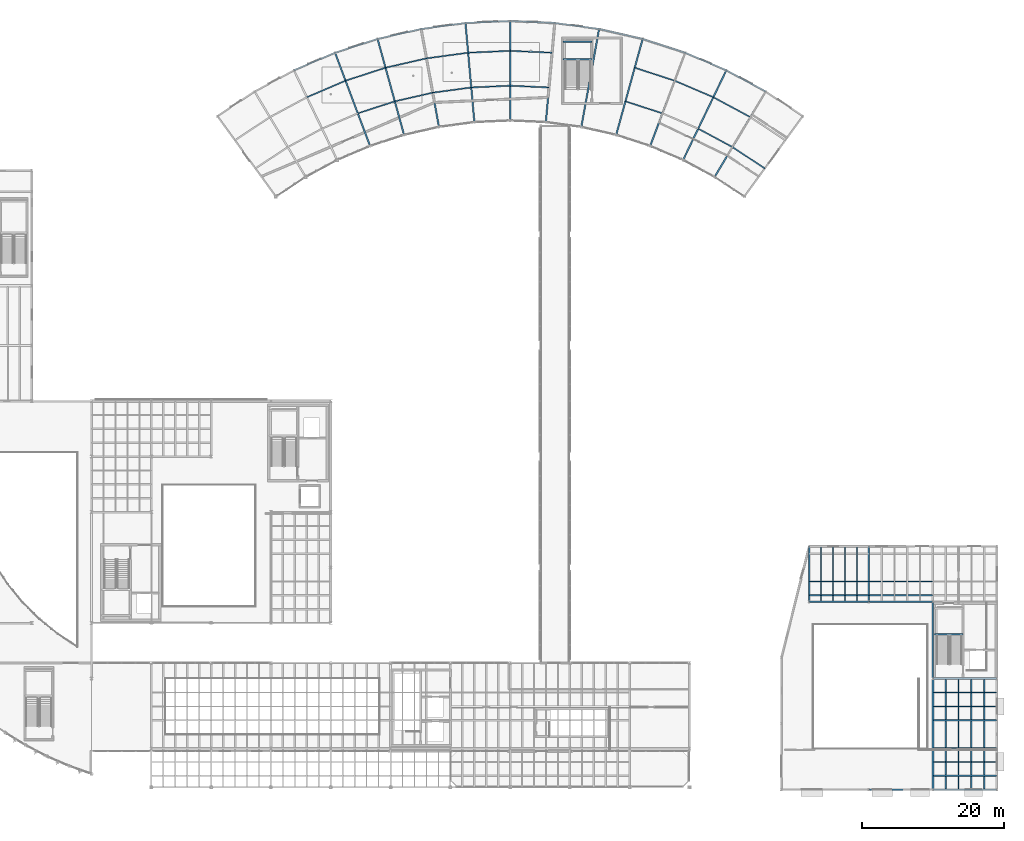
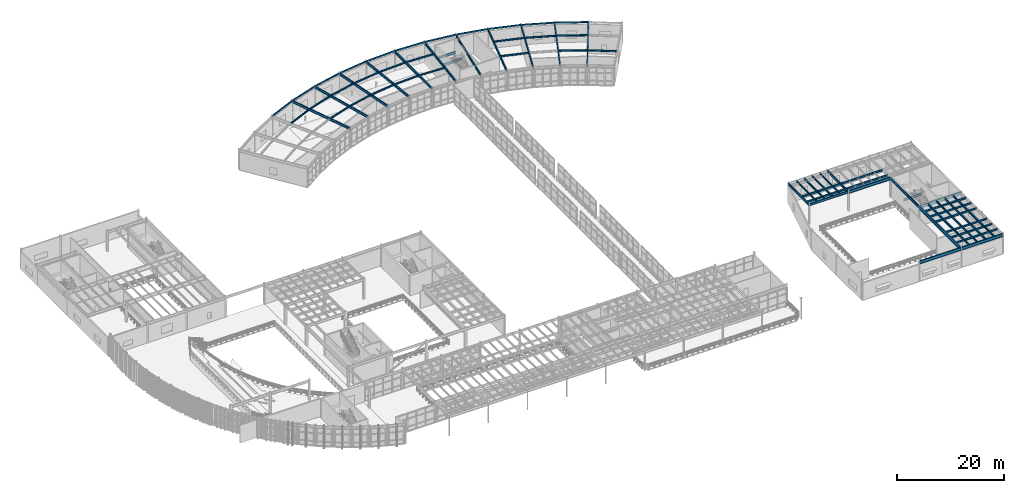
# One storey, part 70 of 105: 69 beams.
"""IFC4 building model written with IfcOpenShell, lengths in metres."""

from ifc_helpers import new_model, si_unit, direction, frame, origin, origin_2d, place, context, subcontext, project, spatial, hollow_rectangle, i_section, extrude, material, material_profile, profile_set, type_object, element, save


model = new_model("IFC4")

# Units and contexts
model_context = context("Model", 3, precision=1e-05, world=origin(), true_north=direction((0.0, 1.0)))
body_context = subcontext(model_context, "Body", "Model", "MODEL_VIEW")
ifc_project = project(units=[si_unit("LENGTHUNIT", "METRE"), si_unit("AREAUNIT", "SQUARE_METRE"), si_unit("VOLUMEUNIT", "CUBIC_METRE"), si_unit("PLANEANGLEUNIT", "RADIAN"), si_unit("MASSUNIT", "GRAM", prefix="KILO")], contexts=[model_context])

# Site, building, storey
site_placement = place(None, origin())
site = spatial("IfcSite", under=ifc_project, at=site_placement, CompositionType="ELEMENT")
building_placement = place(site_placement, origin())
building = spatial("IfcBuilding", under=site, at=building_placement, Name="Selat Folded Stagehouse", CompositionType="ELEMENT")
storey_placement = place(building_placement, frame((0.0, 0.0, 10.199951171875)))
storey = spatial("IfcBuildingStorey", under=building, at=storey_placement, Name="L02", CompositionType="ELEMENT", Elevation=10.199951171875)

# Beams
ifc_material = material(Name="Steel S355", Category="steel")
ifc_material_profile_1 = material_profile(ifc_material, i_section(OverallWidth=0.210693359375, OverallDepth=0.53955078125, WebThickness=0.01171875, FlangeThickness=0.018798828125, FilletRadius=0.0126953125, at=origin_2d()), Name="UKB 533x210x109")
ifc_profile_set_1 = profile_set([ifc_material_profile_1], Name="Steel S355")
beam_type_1 = type_object("IfcBeamType", Name="BM-GIRD-533x210x109", PredefinedType="BEAM", material=ifc_profile_set_1)
for number, where, z_axis, x_axis, name in (
    (1, (134.39990234375, 26.466796875, 4.310302734375), (0.0, 1.0, 0.0), (-1.0, 0.0, 0.0), "L02 primary y-girder 1071"),
    (2, (142.800048828125, 26.466796875, 4.310302734375), (0.0, 1.0, 0.0), (-1.0, 0.0, 0.0), "L02 primary y-girder 1072"),
):
    element("IfcBeam", number, at=place(storey_placement, frame(where, z_axis=z_axis, x_axis=x_axis)), inside=storey, type_object=beam_type_1, Name=name, PredefinedType="BEAM", context=body_context, shape_type="SweptSolid", body=[
        extrude(i_section(OverallWidth=0.210693359375, OverallDepth=0.53955078125, WebThickness=0.01171875, FlangeThickness=0.018798828125, FilletRadius=0.0126953125, at=origin_2d()), origin(), (0.0, 0.0, 1.0), 7.66650390625),
    ])
ifc_material_profile_2 = material_profile(ifc_material, i_section(OverallWidth=0.209228515625, OverallDepth=0.533203125, WebThickness=0.010009765625, FlangeThickness=0.015625, FilletRadius=0.0126953125, at=origin_2d()), Name="UKB 533x210x92")
ifc_profile_set_2 = profile_set([ifc_material_profile_2], Name="Steel S355")
beam_type_2 = type_object("IfcBeamType", Name="BM-GIRD-533x210x92", PredefinedType="BEAM", material=ifc_profile_set_2)
beam_1_placement = place(storey_placement, frame((134.466796875, 26.39990234375, 4.3134765625), z_axis=(1.0, 0.0, 0.0), x_axis=(0.0, 1.0, 0.0)))
element("IfcBeam", 3, at=beam_1_placement, inside=storey, type_object=beam_type_2, Name="L02 primary x-girder 1014", PredefinedType="BEAM", context=body_context, shape_type="SweptSolid", body=[
    extrude(i_section(OverallWidth=0.209228515625, OverallDepth=0.533203125, WebThickness=0.010009765625, FlangeThickness=0.015625, FilletRadius=0.0126953125, at=origin_2d()), origin(), (0.0, 0.0, 1.0), 8.2666015625),
])
beam_2_placement = place(storey_placement, frame((72.722900390625, 90.42919921875, 4.33349609375), z_axis=(-0.35137378289, 0.936235261405, 0.0), x_axis=(-0.936235261405, -0.35137378289, 0.0)))
element("IfcBeam", 4, at=beam_2_placement, inside=storey, type_object=beam_type_2, Name="L02 curved rehearsal radial girder 4", PredefinedType="BEAM", context=body_context, shape_type="SweptSolid", body=[
    extrude(i_section(OverallWidth=0.209228515625, OverallDepth=0.533203125, WebThickness=0.010009765625, FlangeThickness=0.015625, FilletRadius=0.0126953125, at=origin_2d()), origin(), (0.0, 0.0, 1.0), 13.999755859375),
])
for number, where, z_axis, x_axis, name in (
    (5, (77.501953125, 91.98193359375, 4.33349609375), (-0.266045228685, 0.963960547063, 0.0), (-0.963960547063, -0.266045228685, 0.0), "L02 curved rehearsal radial girder 5"),
    (6, (82.40087890625, 93.10009765625, 4.33349609375), (-0.178572369459, 0.983926780236, 0.0), (-0.983926780236, -0.178572369459, 0.0), "L02 curved rehearsal radial girder 6"),
    (7, (87.380126953125, 93.774658203125, 4.33349609375), (-0.089634758742, 0.995974703507, 0.0), (-0.995974703507, -0.089634758742, 0.0), "L02 curved rehearsal radial girder 7"),
    (8, (92.39990234375, 94.0, 4.33349609375), (0.0, 1.0, 0.0), (-1.0, 0.0, 0.0), "L02 curved rehearsal radial girder 8"),
    (9, (97.419921875, 93.774658203125, 4.33349609375), (0.089634758742, 0.995974703507, 0.0), (-0.995974703507, 0.089634758742, 0.0), "L02 curved rehearsal radial girder 9"),
    (10, (102.399169921875, 93.10009765625, 4.33349609375), (0.178555486759, 0.983929844119, 0.0), (-0.983929844119, 0.178555486759, 0.0), "L02 curved rehearsal radial girder 10"),
    (11, (107.298095703125, 91.98193359375, 4.33349609375), (0.266045228685, 0.963960547063, 0.0), (-0.963960547063, 0.266045228685, 0.0), "L02 curved rehearsal radial girder 11"),
):
    element("IfcBeam", number, at=place(storey_placement, frame(where, z_axis=z_axis, x_axis=x_axis)), inside=storey, type_object=beam_type_2, Name=name, PredefinedType="BEAM", context=body_context, shape_type="SweptSolid", body=[
        extrude(i_section(OverallWidth=0.209228515625, OverallDepth=0.533203125, WebThickness=0.010009765625, FlangeThickness=0.015625, FilletRadius=0.0126953125, at=origin_2d()), origin(), (0.0, 0.0, 1.0), 14.0),
    ])
beam_3_placement = place(storey_placement, frame((112.076904296875, 90.42919921875, 4.33349609375), z_axis=(0.35137378289, 0.936235261405, 0.0), x_axis=(-0.936235261405, 0.35137378289, 0.0)))
element("IfcBeam", 12, at=beam_3_placement, inside=storey, type_object=beam_type_2, Name="L02 curved rehearsal radial girder 12", PredefinedType="BEAM", context=body_context, shape_type="SweptSolid", body=[
    extrude(i_section(OverallWidth=0.209228515625, OverallDepth=0.533203125, WebThickness=0.010009765625, FlangeThickness=0.015625, FilletRadius=0.0126953125, at=origin_2d()), origin(), (0.0, 0.0, 1.0), 13.999755859375),
])
for number, where, z_axis, x_axis, name in (
    (13, (116.697509765625, 88.454345703125, 4.33349609375), (0.433890071226, 0.900965818492, 0.0), (-0.900965818492, 0.433890071226, 0.0), "L02 curved rehearsal radial girder 13"),
    (14, (121.122314453125, 86.072998046875, 4.33349609375), (0.512902319154, 0.858446976234, 0.0), (-0.858446976234, 0.512902319154, 0.0), "L02 curved rehearsal radial girder 14"),
):
    element("IfcBeam", number, at=place(storey_placement, frame(where, z_axis=z_axis, x_axis=x_axis)), inside=storey, type_object=beam_type_2, Name=name, PredefinedType="BEAM", context=body_context, shape_type="SweptSolid", body=[
        extrude(i_section(OverallWidth=0.209228515625, OverallDepth=0.533203125, WebThickness=0.010009765625, FlangeThickness=0.015625, FilletRadius=0.0126953125, at=origin_2d()), origin(), (0.0, 0.0, 1.0), 14.0),
    ])
beam_4_placement = place(storey_placement, frame((152.0, 21.8701171875, 1.933349609375), z_axis=(1.0, 0.0, 0.0), x_axis=(0.0, 1.0, 0.0)))
element("IfcBeam", 15, at=beam_4_placement, inside=storey, type_object=beam_type_2, Name="L02 ST-04 landing support beam 1", PredefinedType="BEAM", context=body_context, shape_type="SweptSolid", body=[
    extrude(i_section(OverallWidth=0.209228515625, OverallDepth=0.533203125, WebThickness=0.010009765625, FlangeThickness=0.015625, FilletRadius=0.0126953125, at=origin_2d()), origin(), (0.0, 0.0, 1.0), 4.02001953125),
])
for number, where, z_axis, x_axis, name in (
    (16, (99.800048828125, 102.639892578125, 1.933349609375), (1.0, 0.0, 0.0), (0.0, 1.0, 0.0), "L02 ST-06 landing support beam 1"),
    (17, (99.800048828125, 105.080078125, 1.933349609375), (1.0, 0.0, 0.0), (0.0, 1.0, 0.0), "L02 ST-06 landing support beam 2"),
):
    element("IfcBeam", number, at=place(storey_placement, frame(where, z_axis=z_axis, x_axis=x_axis)), inside=storey, type_object=beam_type_2, Name=name, PredefinedType="BEAM", context=body_context, shape_type="SweptSolid", body=[
        extrude(i_section(OverallWidth=0.209228515625, OverallDepth=0.533203125, WebThickness=0.010009765625, FlangeThickness=0.015625, FilletRadius=0.0126953125, at=origin_2d()), origin(), (0.0, 0.0, 1.0), 4.079833984375),
    ])
ifc_material_profile_3 = material_profile(ifc_material, i_section(OverallWidth=0.230224609375, OverallDepth=0.6171875, WebThickness=0.01318359375, FlangeThickness=0.022216796875, FilletRadius=0.0126953125, at=origin_2d()), Name="UKB 610x229x140")
ifc_profile_set_3 = profile_set([ifc_material_profile_3], Name="Steel S355")
beam_type_3 = type_object("IfcBeamType", Name="BM-GIRD-610x229x140", PredefinedType="BEAM", material=ifc_profile_set_3)
beam_5_placement = place(storey_placement, frame((151.800048828125, 15.666748046875, 4.271484375), z_axis=(0.0, 1.0, 0.0), x_axis=(-1.0, 0.0, 0.0)))
element("IfcBeam", 18, at=beam_5_placement, inside=storey, type_object=beam_type_3, Name="L02 primary y-girder 1074", PredefinedType="BEAM", context=body_context, shape_type="SweptSolid", body=[
    extrude(i_section(OverallWidth=0.230224609375, OverallDepth=0.6171875, WebThickness=0.01318359375, FlangeThickness=0.022216796875, FilletRadius=0.0126953125, at=origin_2d()), origin(), (0.0, 0.0, 1.0), 10.66650390625),
])
ifc_material_profile_4 = material_profile(ifc_material, i_section(OverallWidth=0.253662109375, OverallDepth=0.68359375, WebThickness=0.012451171875, FlangeThickness=0.01904296875, FilletRadius=0.01513671875, at=origin_2d()), Name="UKB 686x254x140")
ifc_profile_set_4 = profile_set([ifc_material_profile_4], Name="Steel S355")
beam_type_4 = type_object("IfcBeamType", Name="BM-GIRD-686x254x140", PredefinedType="BEAM", material=ifc_profile_set_4)
for number, where, z_axis, x_axis, name in (
    (19, (142.86669921875, 0.0, 4.23828125), (1.0, 0.0, 0.0), (0.0, 1.0, 0.0), "L02 primary x-girder 0980"),
    (20, (151.86669921875, 0.0, 4.23828125), (1.0, 0.0, 0.0), (0.0, 1.0, 0.0), "L02 primary x-girder 0981"),
    (21, (151.86669921875, 15.60009765625, 4.23828125), (1.0, 0.0, 0.0), (0.0, 1.0, 0.0), "L02 primary x-girder 0999"),
    (22, (142.86669921875, 26.39990234375, 4.23828125), (1.0, 0.0, 0.0), (0.0, 1.0, 0.0), "L02 primary x-girder 1015"),
):
    element("IfcBeam", number, at=place(storey_placement, frame(where, z_axis=z_axis, x_axis=x_axis)), inside=storey, type_object=beam_type_4, Name=name, PredefinedType="BEAM", context=body_context, shape_type="SweptSolid", body=[
        extrude(i_section(OverallWidth=0.253662109375, OverallDepth=0.68359375, WebThickness=0.012451171875, FlangeThickness=0.01904296875, FilletRadius=0.01513671875, at=origin_2d()), origin(), (0.0, 0.0, 1.0), 8.86669921875),
    ])
ifc_material_profile_5 = material_profile(ifc_material, i_section(OverallWidth=0.26806640625, OverallDepth=0.769775390625, WebThickness=0.015625, FlangeThickness=0.025390625, FilletRadius=0.0166015625, at=origin_2d()), Name="UKB 762x267x197")
ifc_profile_set_5 = profile_set([ifc_material_profile_5], Name="Steel S355")
beam_type_5 = type_object("IfcBeamType", Name="BM-GIRD-762x267x197", PredefinedType="BEAM", material=ifc_profile_set_5)
beam_6_placement = place(storey_placement, frame((151.800048828125, 0.066650390625, 4.195068359375), z_axis=(0.0, 1.0, 0.0), x_axis=(-1.0, 0.0, 0.0)))
element("IfcBeam", 23, at=beam_6_placement, inside=storey, type_object=beam_type_5, Name="L02 primary y-girder 1073", PredefinedType="BEAM", context=body_context, shape_type="SweptSolid", body=[
    extrude(i_section(OverallWidth=0.26806640625, OverallDepth=0.769775390625, WebThickness=0.015625, FlangeThickness=0.025390625, FilletRadius=0.0166015625, at=origin_2d()), origin(), (0.0, 0.0, 1.0), 15.466552734375),
])
ifc_material_profile_6 = material_profile(ifc_material, i_section(OverallWidth=0.17138671875, OverallDepth=0.35498046875, WebThickness=0.00732421875, FlangeThickness=0.011474609375, FilletRadius=0.01025390625, at=origin_2d()), Name="UKB 356x171x51")
ifc_profile_set_6 = profile_set([ifc_material_profile_6], Name="Steel S355")
beam_type_6 = type_object("IfcBeamType", Name="JST-356x171x51", PredefinedType="JOIST", material=ifc_profile_set_6)
for number, where, z_axis, x_axis, name in (
    (24, (136.080078125, 26.473388671875, 4.402587890625), (0.0, 1.0, 0.0), (-1.0, 0.0, 0.0), "L02 secondary floor joist 1183"),
    (25, (137.760009765625, 26.473388671875, 4.402587890625), (0.0, 1.0, 0.0), (-1.0, 0.0, 0.0), "L02 secondary floor joist 1184"),
    (26, (139.43994140625, 26.473388671875, 4.402587890625), (0.0, 1.0, 0.0), (-1.0, 0.0, 0.0), "L02 secondary floor joist 1185"),
    (27, (141.1201171875, 26.473388671875, 4.402587890625), (0.0, 1.0, 0.0), (-1.0, 0.0, 0.0), "L02 secondary floor joist 1186"),
):
    element("IfcBeam", number, at=place(storey_placement, frame(where, z_axis=z_axis, x_axis=x_axis)), inside=storey, type_object=beam_type_6, Name=name, PredefinedType="JOIST", context=body_context, shape_type="SweptSolid", body=[
        extrude(i_section(OverallWidth=0.17138671875, OverallDepth=0.35498046875, WebThickness=0.00732421875, FlangeThickness=0.011474609375, FilletRadius=0.01025390625, at=origin_2d()), origin(), (0.0, 0.0, 1.0), 7.6533203125),
    ])
beam_7_placement = place(storey_placement, frame((63.850341796875, 97.28369140625, 4.422607421875), z_axis=(0.91952743413, 0.393025823429, 0.0), x_axis=(-0.393025823429, 0.91952743413, 0.0)))
element("IfcBeam", 28, at=beam_7_placement, inside=storey, type_object=beam_type_6, Name="L02 curved rehearsal secondary joist 3.2", PredefinedType="JOIST", context=body_context, shape_type="SweptSolid", body=[
    extrude(i_section(OverallWidth=0.17138671875, OverallDepth=0.35498046875, WebThickness=0.00732421875, FlangeThickness=0.011474609375, FilletRadius=0.01025390625, at=origin_2d()), origin(), (0.0, 0.0, 1.0), 5.904296875),
])
beam_8_placement = place(storey_placement, frame((71.001220703125, 95.0166015625, 4.422607421875), z_axis=(0.951050811942, 0.309034550017, 0.0), x_axis=(-0.309034550017, 0.951050811942, 0.0)))
element("IfcBeam", 29, at=beam_8_placement, inside=storey, type_object=beam_type_6, Name="L02 curved rehearsal secondary joist 4.1", PredefinedType="JOIST", context=body_context, shape_type="SweptSolid", body=[
    extrude(i_section(OverallWidth=0.17138671875, OverallDepth=0.35498046875, WebThickness=0.00732421875, FlangeThickness=0.011474609375, FilletRadius=0.01025390625, at=origin_2d()), origin(), (0.0, 0.0, 1.0), 5.464599609375),
])
beam_9_placement = place(storey_placement, frame((69.279541015625, 99.604248046875, 4.422607421875), z_axis=(0.951058375783, 0.309011271401, 0.0), x_axis=(-0.309011271401, 0.951058375783, 0.0)))
element("IfcBeam", 30, at=beam_9_placement, inside=storey, type_object=beam_type_6, Name="L02 curved rehearsal secondary joist 4.2", PredefinedType="JOIST", context=body_context, shape_type="SweptSolid", body=[
    extrude(i_section(OverallWidth=0.17138671875, OverallDepth=0.35498046875, WebThickness=0.00732421875, FlangeThickness=0.011474609375, FilletRadius=0.01025390625, at=origin_2d()), origin(), (0.0, 0.0, 1.0), 5.904296875),
])
beam_10_placement = place(storey_placement, frame((76.1982421875, 96.705322265625, 4.422607421875), z_axis=(0.974925286492, 0.222532437541, 0.0), x_axis=(-0.222532437541, 0.974925286492, 0.0)))
element("IfcBeam", 31, at=beam_10_placement, inside=storey, type_object=beam_type_6, Name="L02 curved rehearsal secondary joist 5.1", PredefinedType="JOIST", context=body_context, shape_type="SweptSolid", body=[
    extrude(i_section(OverallWidth=0.17138671875, OverallDepth=0.35498046875, WebThickness=0.00732421875, FlangeThickness=0.011474609375, FilletRadius=0.01025390625, at=origin_2d()), origin(), (0.0, 0.0, 1.0), 5.464599609375),
])
beam_11_placement = place(storey_placement, frame((74.894775390625, 101.4287109375, 4.422607421875), z_axis=(0.974921599993, 0.222548587656, 0.0), x_axis=(-0.222548587656, 0.974921599993, 0.0)))
element("IfcBeam", 32, at=beam_11_placement, inside=storey, type_object=beam_type_6, Name="L02 curved rehearsal secondary joist 5.2", PredefinedType="JOIST", context=body_context, shape_type="SweptSolid", body=[
    extrude(i_section(OverallWidth=0.17138671875, OverallDepth=0.35498046875, WebThickness=0.00732421875, FlangeThickness=0.011474609375, FilletRadius=0.01025390625, at=origin_2d()), origin(), (0.0, 0.0, 1.0), 5.904052734375),
])
beam_12_placement = place(storey_placement, frame((81.52587890625, 97.92138671875, 4.422607421875), z_axis=(0.990952644722, 0.134211981278, 0.0), x_axis=(-0.134211981278, 0.990952644722, 0.0)))
element("IfcBeam", 33, at=beam_12_placement, inside=storey, type_object=beam_type_6, Name="L02 curved rehearsal secondary joist 6.1", PredefinedType="JOIST", context=body_context, shape_type="SweptSolid", body=[
    extrude(i_section(OverallWidth=0.17138671875, OverallDepth=0.35498046875, WebThickness=0.00732421875, FlangeThickness=0.011474609375, FilletRadius=0.01025390625, at=origin_2d()), origin(), (0.0, 0.0, 1.0), 5.464599609375),
])
beam_13_placement = place(storey_placement, frame((80.65087890625, 102.74267578125, 4.422607421875), z_axis=(0.990951300804, 0.13422190371, 0.0), x_axis=(-0.13422190371, 0.990951300804, 0.0)))
element("IfcBeam", 34, at=beam_13_placement, inside=storey, type_object=beam_type_6, Name="L02 curved rehearsal secondary joist 6.2", PredefinedType="JOIST", context=body_context, shape_type="SweptSolid", body=[
    extrude(i_section(OverallWidth=0.17138671875, OverallDepth=0.35498046875, WebThickness=0.00732421875, FlangeThickness=0.011474609375, FilletRadius=0.01025390625, at=origin_2d()), origin(), (0.0, 0.0, 1.0), 5.904296875),
])
beam_14_placement = place(storey_placement, frame((86.94091796875, 98.65478515625, 4.422607421875), z_axis=(0.998993444482, 0.044856414055, 0.0), x_axis=(-0.044856414055, 0.998993444482, 0.0)))
element("IfcBeam", 35, at=beam_14_placement, inside=storey, type_object=beam_type_6, Name="L02 curved rehearsal secondary joist 7.1", PredefinedType="JOIST", context=body_context, shape_type="SweptSolid", body=[
    extrude(i_section(OverallWidth=0.17138671875, OverallDepth=0.35498046875, WebThickness=0.00732421875, FlangeThickness=0.011474609375, FilletRadius=0.01025390625, at=origin_2d()), origin(), (0.0, 0.0, 1.0), 5.464599609375),
])
beam_15_placement = place(storey_placement, frame((86.501708984375, 103.53515625, 4.422607421875), z_axis=(0.998993033072, 0.044865575598, 0.0), x_axis=(-0.044865575598, 0.998993033072, 0.0)))
element("IfcBeam", 36, at=beam_15_placement, inside=storey, type_object=beam_type_6, Name="L02 curved rehearsal secondary joist 7.2", PredefinedType="JOIST", context=body_context, shape_type="SweptSolid", body=[
    extrude(i_section(OverallWidth=0.17138671875, OverallDepth=0.35498046875, WebThickness=0.00732421875, FlangeThickness=0.011474609375, FilletRadius=0.01025390625, at=origin_2d()), origin(), (0.0, 0.0, 1.0), 5.904052734375),
])
beam_16_placement = place(storey_placement, frame((92.39990234375, 98.89990234375, 4.422607421875), z_axis=(0.998993444482, -0.044856414055, 0.0), x_axis=(0.044856414055, 0.998993444482, 0.0)))
element("IfcBeam", 37, at=beam_16_placement, inside=storey, type_object=beam_type_6, Name="L02 curved rehearsal secondary joist 8.1", PredefinedType="JOIST", context=body_context, shape_type="SweptSolid", body=[
    extrude(i_section(OverallWidth=0.17138671875, OverallDepth=0.35498046875, WebThickness=0.00732421875, FlangeThickness=0.011474609375, FilletRadius=0.01025390625, at=origin_2d()), origin(), (0.0, 0.0, 1.0), 5.464599609375),
])
beam_17_placement = place(storey_placement, frame((92.39990234375, 103.800048828125, 4.422607421875), z_axis=(0.998993116303, -0.044863722317, 0.0), x_axis=(0.044863722317, 0.998993116303, 0.0)))
element("IfcBeam", 38, at=beam_17_placement, inside=storey, type_object=beam_type_6, Name="L02 curved rehearsal secondary joist 8.2", PredefinedType="JOIST", context=body_context, shape_type="SweptSolid", body=[
    extrude(i_section(OverallWidth=0.17138671875, OverallDepth=0.35498046875, WebThickness=0.00732421875, FlangeThickness=0.011474609375, FilletRadius=0.01025390625, at=origin_2d()), origin(), (0.0, 0.0, 1.0), 5.904296875),
])
beam_18_placement = place(storey_placement, frame((108.601806640625, 96.705322265625, 4.422607421875), z_axis=(0.95104654486, -0.309047681612, 0.0), x_axis=(0.309047681612, 0.95104654486, 0.0)))
element("IfcBeam", 39, at=beam_18_placement, inside=storey, type_object=beam_type_6, Name="L02 curved rehearsal secondary joist 11.1", PredefinedType="JOIST", context=body_context, shape_type="SweptSolid", body=[
    extrude(i_section(OverallWidth=0.17138671875, OverallDepth=0.35498046875, WebThickness=0.00732421875, FlangeThickness=0.011474609375, FilletRadius=0.01025390625, at=origin_2d()), origin(), (0.0, 0.0, 1.0), 5.46435546875),
])
for number, where, z_axis, x_axis, name in (
    (40, (109.9052734375, 101.4287109375, 4.422607421875), (0.951058375783, -0.309011271401, 0.0), (0.309011271401, 0.951058375783, 0.0), "L02 curved rehearsal secondary joist 11.2"),
    (41, (115.5205078125, 99.604248046875, 4.422607421875), (0.91952743413, -0.393025823429, 0.0), (0.393025823429, 0.91952743413, 0.0), "L02 curved rehearsal secondary joist 12.2"),
):
    element("IfcBeam", number, at=place(storey_placement, frame(where, z_axis=z_axis, x_axis=x_axis)), inside=storey, type_object=beam_type_6, Name=name, PredefinedType="JOIST", context=body_context, shape_type="SweptSolid", body=[
        extrude(i_section(OverallWidth=0.17138671875, OverallDepth=0.35498046875, WebThickness=0.00732421875, FlangeThickness=0.011474609375, FilletRadius=0.01025390625, at=origin_2d()), origin(), (0.0, 0.0, 1.0), 5.904296875),
    ])
beam_19_placement = place(storey_placement, frame((118.823486328125, 92.868896484375, 4.422607421875), z_axis=(0.880603050305, -0.47385469059, 0.0), x_axis=(0.47385469059, 0.880603050305, 0.0)))
element("IfcBeam", 42, at=beam_19_placement, inside=storey, type_object=beam_type_6, Name="L02 curved rehearsal secondary joist 13.1", PredefinedType="JOIST", context=body_context, shape_type="SweptSolid", body=[
    extrude(i_section(OverallWidth=0.17138671875, OverallDepth=0.35498046875, WebThickness=0.00732421875, FlangeThickness=0.011474609375, FilletRadius=0.01025390625, at=origin_2d()), origin(), (0.0, 0.0, 1.0), 5.46435546875),
])
beam_20_placement = place(storey_placement, frame((120.94970703125, 97.28369140625, 4.422607421875), z_axis=(0.880583938492, -0.473890205923, 0.0), x_axis=(0.473890205923, 0.880583938492, 0.0)))
element("IfcBeam", 43, at=beam_20_placement, inside=storey, type_object=beam_type_6, Name="L02 curved rehearsal secondary joist 13.2", PredefinedType="JOIST", context=body_context, shape_type="SweptSolid", body=[
    extrude(i_section(OverallWidth=0.17138671875, OverallDepth=0.35498046875, WebThickness=0.00732421875, FlangeThickness=0.011474609375, FilletRadius=0.01025390625, at=origin_2d()), origin(), (0.0, 0.0, 1.0), 5.904052734375),
])
beam_21_placement = place(storey_placement, frame((123.635498046875, 90.279541015625, 4.422607421875), z_axis=(0.834584757521, -0.550879553545, 0.0), x_axis=(0.550879553545, 0.834584757521, 0.0)))
element("IfcBeam", 44, at=beam_21_placement, inside=storey, type_object=beam_type_6, Name="L02 curved rehearsal secondary joist 14.1", PredefinedType="JOIST", context=body_context, shape_type="SweptSolid", body=[
    extrude(i_section(OverallWidth=0.17138671875, OverallDepth=0.35498046875, WebThickness=0.00732421875, FlangeThickness=0.011474609375, FilletRadius=0.01025390625, at=origin_2d()), origin(), (0.0, 0.0, 1.0), 5.46435546875),
])
ifc_material_profile_7 = material_profile(ifc_material, i_section(OverallWidth=0.177978515625, OverallDepth=0.406494140625, WebThickness=0.0078125, FlangeThickness=0.0126953125, FilletRadius=0.01025390625, at=origin_2d()), Name="UKB 406x178x60")
ifc_profile_set_7 = profile_set([ifc_material_profile_7], Name="Steel S355")
beam_type_7 = type_object("IfcBeamType", Name="JST-406x178x60", PredefinedType="JOIST", material=ifc_profile_set_7)
for number, where, z_axis, x_axis, name in (
    (45, (151.893798828125, 1.949951171875, 4.376953125), (1.0, 0.0, 0.0), (0.0, 1.0, 0.0), "L02 secondary x-joist 1207"),
    (46, (151.893798828125, 3.89990234375, 4.376953125), (1.0, 0.0, 0.0), (0.0, 1.0, 0.0), "L02 secondary x-joist 1216"),
    (47, (151.893798828125, 5.85009765625, 4.376953125), (1.0, 0.0, 0.0), (0.0, 1.0, 0.0), "L02 secondary x-joist 1217"),
    (48, (151.893798828125, 9.75, 4.376953125), (1.0, 0.0, 0.0), (0.0, 1.0, 0.0), "L02 secondary x-joist 1226"),
    (49, (151.893798828125, 11.699951171875, 4.376953125), (1.0, 0.0, 0.0), (0.0, 1.0, 0.0), "L02 secondary x-joist 1234"),
    (50, (151.893798828125, 13.64990234375, 4.376953125), (1.0, 0.0, 0.0), (0.0, 1.0, 0.0), "L02 secondary x-joist 1243"),
):
    element("IfcBeam", number, at=place(storey_placement, frame(where, z_axis=z_axis, x_axis=x_axis)), inside=storey, type_object=beam_type_7, Name=name, PredefinedType="JOIST", context=body_context, shape_type="SweptSolid", body=[
        extrude(i_section(OverallWidth=0.177978515625, OverallDepth=0.406494140625, WebThickness=0.0078125, FlangeThickness=0.0126953125, FilletRadius=0.01025390625, at=origin_2d()), origin(), (0.0, 0.0, 1.0), 8.83251953125),
    ])
beam_22_placement = place(storey_placement, frame((134.473876953125, 27.300048828125, 4.376953125), z_axis=(1.0, 0.0, 0.0), x_axis=(0.0, 1.0, 0.0)))
element("IfcBeam", 51, at=beam_22_placement, inside=storey, type_object=beam_type_7, Name="L02 secondary x-joist 1246", PredefinedType="JOIST", context=body_context, shape_type="SweptSolid", body=[
    extrude(i_section(OverallWidth=0.177978515625, OverallDepth=0.406494140625, WebThickness=0.0078125, FlangeThickness=0.0126953125, FilletRadius=0.01025390625, at=origin_2d()), origin(), (0.0, 0.0, 1.0), 8.25244140625),
])
beam_23_placement = place(storey_placement, frame((142.873779296875, 27.300048828125, 4.376953125), z_axis=(1.0, 0.0, 0.0), x_axis=(0.0, 1.0, 0.0)))
element("IfcBeam", 52, at=beam_23_placement, inside=storey, type_object=beam_type_7, Name="L02 secondary x-joist 1247", PredefinedType="JOIST", context=body_context, shape_type="SweptSolid", body=[
    extrude(i_section(OverallWidth=0.177978515625, OverallDepth=0.406494140625, WebThickness=0.0078125, FlangeThickness=0.0126953125, FilletRadius=0.01025390625, at=origin_2d()), origin(), (0.0, 0.0, 1.0), 8.8525390625),
])
beam_24_placement = place(storey_placement, frame((134.473876953125, 29.25, 4.376953125), z_axis=(1.0, 0.0, 0.0), x_axis=(0.0, 1.0, 0.0)))
element("IfcBeam", 53, at=beam_24_placement, inside=storey, type_object=beam_type_7, Name="L02 secondary x-joist 1250", PredefinedType="JOIST", context=body_context, shape_type="SweptSolid", body=[
    extrude(i_section(OverallWidth=0.177978515625, OverallDepth=0.406494140625, WebThickness=0.0078125, FlangeThickness=0.0126953125, FilletRadius=0.01025390625, at=origin_2d()), origin(), (0.0, 0.0, 1.0), 8.25244140625),
])
beam_25_placement = place(storey_placement, frame((142.873779296875, 29.25, 4.376953125), z_axis=(1.0, 0.0, 0.0), x_axis=(0.0, 1.0, 0.0)))
element("IfcBeam", 54, at=beam_25_placement, inside=storey, type_object=beam_type_7, Name="L02 secondary x-joist 1251", PredefinedType="JOIST", context=body_context, shape_type="SweptSolid", body=[
    extrude(i_section(OverallWidth=0.177978515625, OverallDepth=0.406494140625, WebThickness=0.0078125, FlangeThickness=0.0126953125, FilletRadius=0.01025390625, at=origin_2d()), origin(), (0.0, 0.0, 1.0), 8.8525390625),
])
ifc_material_profile_8 = material_profile(ifc_material, i_section(OverallWidth=0.18994140625, OverallDepth=0.453369140625, WebThickness=0.008544921875, FlangeThickness=0.0126953125, FilletRadius=0.01025390625, at=origin_2d()), Name="UKB 457x191x67")
ifc_profile_set_8 = profile_set([ifc_material_profile_8], Name="Steel S355")
beam_type_8 = type_object("IfcBeamType", Name="JST-457x191x67", PredefinedType="JOIST", material=ifc_profile_set_8)
for number, where, z_axis, x_axis, name in (
    (55, (153.60009765625, 0.0888671875, 4.353271484375), (0.0, 1.0, 0.0), (-1.0, 0.0, 0.0), "L02 secondary floor joist 1191"),
    (56, (155.39990234375, 0.0888671875, 4.353271484375), (0.0, 1.0, 0.0), (-1.0, 0.0, 0.0), "L02 secondary floor joist 1193"),
    (57, (157.199951171875, 0.0888671875, 4.353271484375), (0.0, 1.0, 0.0), (-1.0, 0.0, 0.0), "L02 secondary floor joist 1195"),
    (58, (159.0, 0.0888671875, 4.353271484375), (0.0, 1.0, 0.0), (-1.0, 0.0, 0.0), "L02 secondary floor joist 1197"),
):
    element("IfcBeam", number, at=place(storey_placement, frame(where, z_axis=z_axis, x_axis=x_axis)), inside=storey, type_object=beam_type_8, Name=name, PredefinedType="JOIST", context=body_context, shape_type="SweptSolid", body=[
        extrude(i_section(OverallWidth=0.18994140625, OverallDepth=0.453369140625, WebThickness=0.008544921875, FlangeThickness=0.0126953125, FilletRadius=0.01025390625, at=origin_2d()), origin(), (0.0, 0.0, 1.0), 15.42236328125),
    ])
ifc_material_profile_9 = material_profile(ifc_material, hollow_rectangle(XDim=0.199951171875, YDim=0.300048828125, WallThickness=0.012451171875, at=origin_2d()), Name="RHS 300x200x12.5")
ifc_profile_set_9 = profile_set([ifc_material_profile_9], Name="Steel S355")
beam_type_9 = type_object("IfcBeamType", Name="SPD-RHS-300x200", PredefinedType="SPANDREL", material=ifc_profile_set_9)
for number, where, z_axis, x_axis, name in (
    (59, (62.028076171875, 101.06787109375, 4.449951171875), (0.919534614305, 0.393009024189, 0.0), (-0.393009024189, 0.919534614305, 0.0), "L02 outer curved rehearsal spandrel 3"),
    (60, (67.8037109375, 103.536376953125, 4.449951171875), (0.951058059905, 0.309012243593, 0.0), (-0.309012243593, 0.951058059905, 0.0), "L02 outer curved rehearsal spandrel 4"),
    (61, (73.77734375, 105.477294921875, 4.449951171875), (0.974926249486, 0.222528218575, 0.0), (-0.222528218575, 0.974926249486, 0.0), "L02 outer curved rehearsal spandrel 5"),
):
    element("IfcBeam", number, at=place(storey_placement, frame(where, z_axis=z_axis, x_axis=x_axis)), inside=storey, type_object=beam_type_9, Name=name, PredefinedType="SPANDREL", context=body_context, shape_type="SweptSolid", body=[
        extrude(hollow_rectangle(XDim=0.199951171875, YDim=0.300048828125, WallThickness=0.012451171875, at=origin_2d()), origin(), (0.0, 0.0, 1.0), 6.281005859375),
    ])
beam_26_placement = place(storey_placement, frame((79.90087890625, 106.875, 4.449951171875), z_axis=(0.990947344037, 0.134251113014, 0.0), x_axis=(-0.134251113014, 0.990947344037, 0.0)))
element("IfcBeam", 62, at=beam_26_placement, inside=storey, type_object=beam_type_9, Name="L02 outer curved rehearsal spandrel 6", PredefinedType="SPANDREL", context=body_context, shape_type="SweptSolid", body=[
    extrude(hollow_rectangle(XDim=0.199951171875, YDim=0.300048828125, WallThickness=0.012451171875, at=origin_2d()), origin(), (0.0, 0.0, 1.0), 6.28125),
])
beam_27_placement = place(storey_placement, frame((86.125244140625, 107.71826171875, 4.449951171875), z_axis=(0.998993472837, 0.044855782563, 0.0), x_axis=(-0.044855782563, 0.998993472837, 0.0)))
element("IfcBeam", 63, at=beam_27_placement, inside=storey, type_object=beam_type_9, Name="L02 outer curved rehearsal spandrel 7", PredefinedType="SPANDREL", context=body_context, shape_type="SweptSolid", body=[
    extrude(hollow_rectangle(XDim=0.199951171875, YDim=0.300048828125, WallThickness=0.012451171875, at=origin_2d()), origin(), (0.0, 0.0, 1.0), 6.281005859375),
])
beam_28_placement = place(storey_placement, frame((92.39990234375, 108.0, 4.449951171875), z_axis=(0.99899355104, -0.044854040849, 0.0), x_axis=(0.044854040849, 0.99899355104, 0.0)))
element("IfcBeam", 64, at=beam_28_placement, inside=storey, type_object=beam_type_9, Name="L02 outer curved rehearsal spandrel 8", PredefinedType="SPANDREL", context=body_context, shape_type="SweptSolid", body=[
    extrude(hollow_rectangle(XDim=0.199951171875, YDim=0.300048828125, WallThickness=0.012451171875, at=origin_2d()), origin(), (0.0, 0.0, 1.0), 6.28125),
])
beam_29_placement = place(storey_placement, frame((98.6748046875, 107.71826171875, 4.449951171875), z_axis=(0.990946643459, -0.134256284087, 0.0), x_axis=(0.134256284087, 0.990946643459, 0.0)))
element("IfcBeam", 65, at=beam_29_placement, inside=storey, type_object=beam_type_9, Name="L02 outer curved rehearsal spandrel 9", PredefinedType="SPANDREL", context=body_context, shape_type="SweptSolid", body=[
    extrude(hollow_rectangle(XDim=0.199951171875, YDim=0.300048828125, WallThickness=0.012451171875, at=origin_2d()), origin(), (0.0, 0.0, 1.0), 6.281005859375),
])
beam_30_placement = place(storey_placement, frame((104.89892578125, 106.875, 4.449951171875), z_axis=(0.974928174151, -0.22251978619, 0.0), x_axis=(0.22251978619, 0.974928174151, 0.0)))
element("IfcBeam", 66, at=beam_30_placement, inside=storey, type_object=beam_type_9, Name="L02 outer curved rehearsal spandrel 10", PredefinedType="SPANDREL", context=body_context, shape_type="SweptSolid", body=[
    extrude(hollow_rectangle(XDim=0.199951171875, YDim=0.300048828125, WallThickness=0.012451171875, at=origin_2d()), origin(), (0.0, 0.0, 1.0), 6.28125),
])
beam_31_placement = place(storey_placement, frame((111.022705078125, 105.477294921875, 4.449951171875), z_axis=(0.951054348109, -0.309023667285, 0.0), x_axis=(0.309023667285, 0.951054348109, 0.0)))
element("IfcBeam", 67, at=beam_31_placement, inside=storey, type_object=beam_type_9, Name="L02 outer curved rehearsal spandrel 11", PredefinedType="SPANDREL", context=body_context, shape_type="SweptSolid", body=[
    extrude(hollow_rectangle(XDim=0.199951171875, YDim=0.300048828125, WallThickness=0.012451171875, at=origin_2d()), origin(), (0.0, 0.0, 1.0), 6.28076171875),
])
beam_32_placement = place(storey_placement, frame((116.99609375, 103.536376953125, 4.449951171875), z_axis=(0.919540617607, -0.392994977793, 0.0), x_axis=(0.392994977793, 0.919540617607, 0.0)))
element("IfcBeam", 68, at=beam_32_placement, inside=storey, type_object=beam_type_9, Name="L02 outer curved rehearsal spandrel 12", PredefinedType="SPANDREL", context=body_context, shape_type="SweptSolid", body=[
    extrude(hollow_rectangle(XDim=0.199951171875, YDim=0.300048828125, WallThickness=0.012451171875, at=origin_2d()), origin(), (0.0, 0.0, 1.0), 6.28125),
])
beam_33_placement = place(storey_placement, frame((122.77197265625, 101.06787109375, 4.449951171875), z_axis=(0.880582156138, -0.473893517883, 0.0), x_axis=(0.473893517883, 0.880582156138, 0.0)))
element("IfcBeam", 69, at=beam_33_placement, inside=storey, type_object=beam_type_9, Name="L02 outer curved rehearsal spandrel 13", PredefinedType="SPANDREL", context=body_context, shape_type="SweptSolid", body=[
    extrude(hollow_rectangle(XDim=0.199951171875, YDim=0.300048828125, WallThickness=0.012451171875, at=origin_2d()), origin(), (0.0, 0.0, 1.0), 6.281005859375),
])

save(model, "model.ifc")
